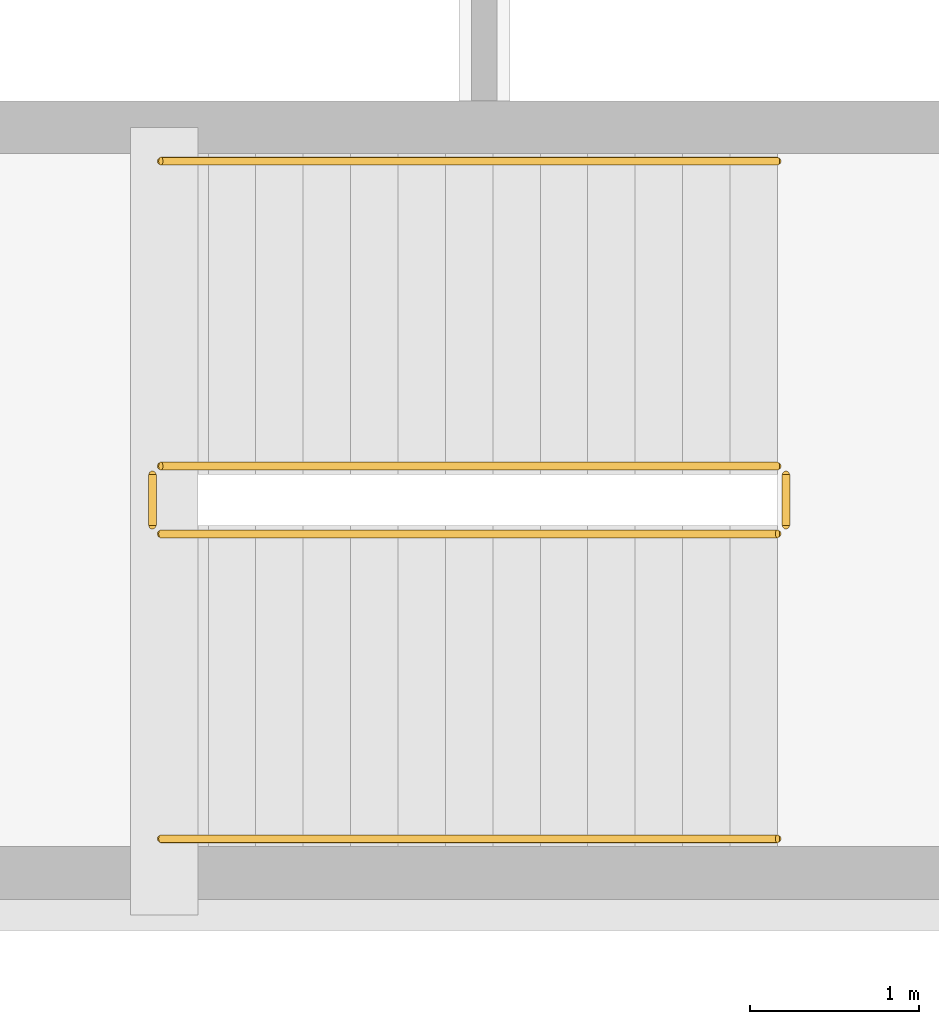
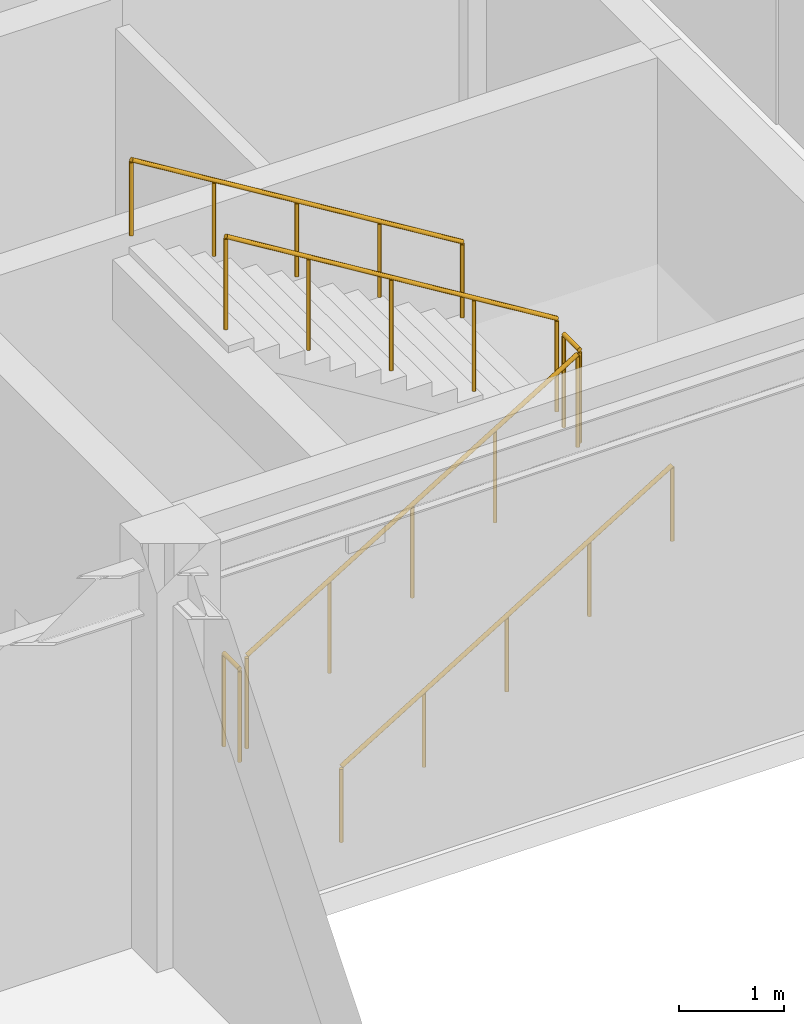
# One storey, part 53 of 58: 6 railings.
"""IFC4 building model written with IfcOpenShell, lengths in metres."""

from ifc_helpers import new_model, si_unit, direction, frame, origin, origin_2d, place, context, subcontext, project, spatial, circle, extrude, material, type_object, element, save


model = new_model("IFC4")

# Units and contexts
model_context = context("Model", 3, precision=1e-05, world=origin(), true_north=direction((0.0, 1.0)))
body_context = subcontext(model_context, "Body", "Model", "MODEL_VIEW")
ifc_project = project(units=[si_unit("LENGTHUNIT", "METRE"), si_unit("AREAUNIT", "SQUARE_METRE"), si_unit("VOLUMEUNIT", "CUBIC_METRE"), si_unit("PLANEANGLEUNIT", "RADIAN"), si_unit("MASSUNIT", "GRAM", prefix="KILO")], contexts=[model_context])

# Site, building, storey
site_placement = place(None, origin())
site = spatial("IfcSite", under=ifc_project, at=site_placement, CompositionType="ELEMENT")
building_placement = place(site_placement, origin())
building = spatial("IfcBuilding", under=site, at=building_placement, Name="Parian Resonance Hall", CompositionType="ELEMENT")
storey_placement = place(building_placement, frame((0.0, 0.0, 10.199951171875)))
storey = spatial("IfcBuildingStorey", under=building, at=storey_placement, Name="L02", CompositionType="ELEMENT", Elevation=10.199951171875)

# Railings
ifc_material_1 = material(Name="Patinated bronze whiplash metalwork")
railing_type_1 = type_object("IfcRailingType", Name="RAIL-STAIR-GRD-1100", PredefinedType="GUARDRAIL", material=ifc_material_1)
railing_1_placement = place(storey_placement, frame((123.639892578125, 50.85009765625, 0.17138671875)))
element("IfcRailing", 1, at=railing_1_placement, inside=storey, type_object=railing_type_1, Name="L02 ST-02 stair guard 1", PredefinedType="GUARDRAIL", context=body_context, shape_type="SweptSolid", body=[
    extrude(circle(Radius=0.02392578125, at=origin_2d()), frame((0.0, 0.0, 1.076171875), z_axis=(0.852840387347, 0.0, 0.522171689878), x_axis=(0.0, 1.0, 0.0)), (0.0, 0.0, 1.0), 4.268310546875),
    extrude(circle(Radius=0.02099609375, at=origin_2d()), origin(), (0.0, 0.0, 1.0), 1.052001953125),
    extrude(circle(Radius=0.02099609375, at=origin_2d()), frame((0.91015625, 0.0, 0.55712890625)), (0.0, 0.0, 1.0), 1.052001953125),
    extrude(circle(Radius=0.02099609375, at=origin_2d()), frame((1.820068359375, 0.0, 1.1142578125)), (0.0, 0.0, 1.0), 1.052001953125),
    extrude(circle(Radius=0.02099609375, at=origin_2d()), frame((2.72998046875, 0.0, 1.671630859375)), (0.0, 0.0, 1.0), 1.052001953125),
    extrude(circle(Radius=0.02099609375, at=origin_2d()), frame((3.64013671875, 0.0, 2.228759765625)), (0.0, 0.0, 1.0), 1.052001953125),
])
railing_2_placement = place(storey_placement, frame((127.330078125, 50.89990234375, 2.400146484375)))
element("IfcRailing", 2, at=railing_2_placement, inside=storey, type_object=railing_type_1, Name="L02 ST-02 stair guard 2", PredefinedType="GUARDRAIL", context=body_context, shape_type="SweptSolid", body=[
    extrude(circle(Radius=0.02392578125, at=origin_2d()), frame((0.0, 0.0, 1.076171875), z_axis=(0.0, 1.0, 0.0), x_axis=(-1.0, 0.0, 0.0)), (0.0, 0.0, 1.0), 0.300048828125),
    extrude(circle(Radius=0.02099609375, at=origin_2d()), origin(), (0.0, 0.0, 1.0), 1.052001953125),
    extrude(circle(Radius=0.02099609375, at=origin_2d()), frame((0.0, 0.300048828125, 0.0)), (0.0, 0.0, 1.0), 1.052001953125),
])
railing_3_placement = place(storey_placement, frame((127.280029296875, 51.25, 2.571533203125)))
element("IfcRailing", 3, at=railing_3_placement, inside=storey, type_object=railing_type_1, Name="L02 ST-02 stair guard 3", PredefinedType="GUARDRAIL", context=body_context, shape_type="SweptSolid", body=[
    extrude(circle(Radius=0.02392578125, at=origin_2d()), frame((0.0, 0.0, 1.076171875), z_axis=(-0.852865859571, 0.0, 0.52213008492), x_axis=(0.0, -1.0, 0.0)), (0.0, 0.0, 1.0), 4.26806640625),
    extrude(circle(Radius=0.02099609375, at=origin_2d()), origin(), (0.0, 0.0, 1.0), 1.052001953125),
    extrude(circle(Radius=0.02099609375, at=origin_2d()), frame((-0.91015625, 0.0, 0.55712890625)), (0.0, 0.0, 1.0), 1.052001953125),
    extrude(circle(Radius=0.02099609375, at=origin_2d()), frame((-1.820068359375, 0.0, 1.1142578125)), (0.0, 0.0, 1.0), 1.052001953125),
    extrude(circle(Radius=0.02099609375, at=origin_2d()), frame((-2.72998046875, 0.0, 1.67138671875)), (0.0, 0.0, 1.0), 1.052001953125),
    extrude(circle(Radius=0.02099609375, at=origin_2d()), frame((-3.64013671875, 0.0, 2.228515625)), (0.0, 0.0, 1.0), 1.052001953125),
])
railing_4_placement = place(storey_placement, frame((123.590087890625, 50.89990234375, 0.0)))
element("IfcRailing", 4, at=railing_4_placement, inside=storey, type_object=railing_type_1, Name="L02 ST-02 stair guard 4", PredefinedType="GUARDRAIL", context=body_context, shape_type="SweptSolid", body=[
    extrude(circle(Radius=0.02392578125, at=origin_2d()), frame((0.0, 0.0, 1.076171875), z_axis=(0.0, 1.0, 0.0), x_axis=(-1.0, 0.0, 0.0)), (0.0, 0.0, 1.0), 0.300048828125),
    extrude(circle(Radius=0.02099609375, at=origin_2d()), origin(), (0.0, 0.0, 1.0), 1.052001953125),
    extrude(circle(Radius=0.02099609375, at=origin_2d()), frame((0.0, 0.300048828125, 0.0)), (0.0, 0.0, 1.0), 1.052001953125),
])
ifc_material_2 = material(Name="Patinated bronze whiplash metalwork")
railing_type_2 = type_object("IfcRailingType", Name="RAIL-STAIR-HR-900", PredefinedType="HANDRAIL", material=ifc_material_2)
railing_5_placement = place(storey_placement, frame((123.639892578125, 49.050048828125, 0.17138671875)))
element("IfcRailing", 5, at=railing_5_placement, inside=storey, type_object=railing_type_2, Name="L02 ST-02 stair handrail 1", PredefinedType="HANDRAIL", context=body_context, shape_type="SweptSolid", body=[
    extrude(circle(Radius=0.02392578125, at=origin_2d()), frame((0.0, 0.0, 0.8759765625), z_axis=(0.852840387347, 0.0, 0.522171689878), x_axis=(0.0, 1.0, 0.0)), (0.0, 0.0, 1.0), 4.268310546875),
    extrude(circle(Radius=0.02099609375, at=origin_2d()), origin(), (0.0, 0.0, 1.0), 0.851806640625),
    extrude(circle(Radius=0.02099609375, at=origin_2d()), frame((0.91015625, 0.0, 0.55712890625)), (0.0, 0.0, 1.0), 0.851806640625),
    extrude(circle(Radius=0.02099609375, at=origin_2d()), frame((1.820068359375, 0.0, 1.1142578125)), (0.0, 0.0, 1.0), 0.851806640625),
    extrude(circle(Radius=0.02099609375, at=origin_2d()), frame((2.72998046875, 0.0, 1.671630859375)), (0.0, 0.0, 1.0), 0.851806640625),
    extrude(circle(Radius=0.02099609375, at=origin_2d()), frame((3.64013671875, 0.0, 2.228759765625)), (0.0, 0.0, 1.0), 0.851806640625),
])
railing_6_placement = place(storey_placement, frame((127.280029296875, 53.050048828125, 2.571533203125)))
element("IfcRailing", 6, at=railing_6_placement, inside=storey, type_object=railing_type_2, Name="L02 ST-02 stair handrail 2", PredefinedType="HANDRAIL", context=body_context, shape_type="SweptSolid", body=[
    extrude(circle(Radius=0.02392578125, at=origin_2d()), frame((0.0, 0.0, 0.8759765625), z_axis=(-0.852865859571, 0.0, 0.52213008492), x_axis=(0.0, -1.0, 0.0)), (0.0, 0.0, 1.0), 4.26806640625),
    extrude(circle(Radius=0.02099609375, at=origin_2d()), origin(), (0.0, 0.0, 1.0), 0.851806640625),
    extrude(circle(Radius=0.02099609375, at=origin_2d()), frame((-0.91015625, 0.0, 0.55712890625)), (0.0, 0.0, 1.0), 0.851806640625),
    extrude(circle(Radius=0.02099609375, at=origin_2d()), frame((-1.820068359375, 0.0, 1.1142578125)), (0.0, 0.0, 1.0), 0.851806640625),
    extrude(circle(Radius=0.02099609375, at=origin_2d()), frame((-2.72998046875, 0.0, 1.67138671875)), (0.0, 0.0, 1.0), 0.851806640625),
    extrude(circle(Radius=0.02099609375, at=origin_2d()), frame((-3.64013671875, 0.0, 2.228515625)), (0.0, 0.0, 1.0), 0.851806640625),
])

save(model, "model.ifc")
